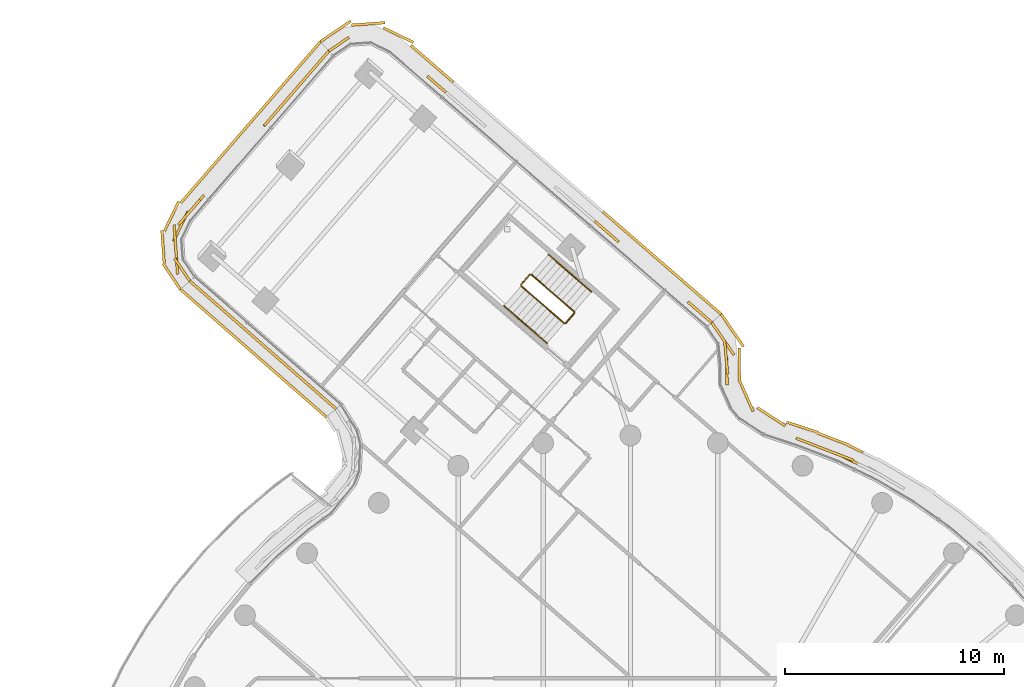
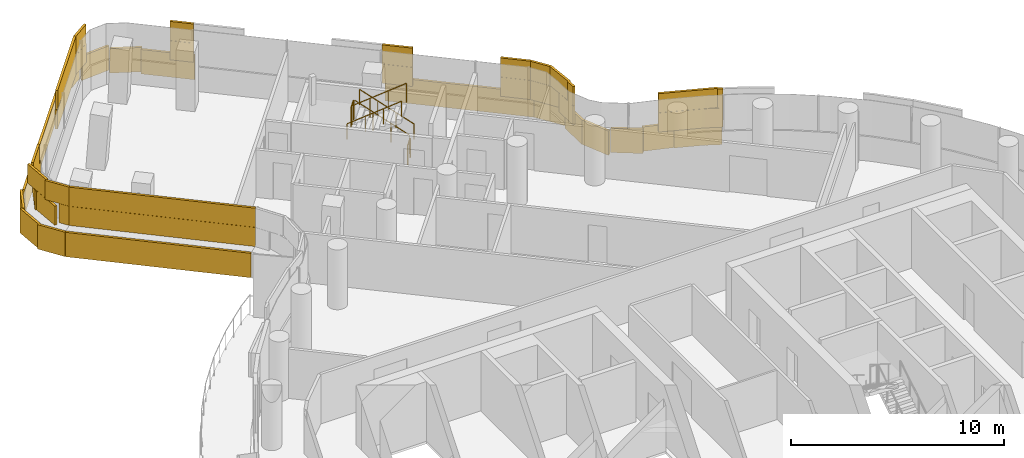
# One storey, part 30 of 32: 6 railings, 5 coverings.
"""IFC4 building model written with IfcOpenShell, lengths in metres."""

from ifc_helpers import new_model, si_unit, direction, frame, origin, origin_2d, place, context, subcontext, project, spatial, rectangle, circle, extrude, material, layer, layer_set, type_object, element, save


model = new_model("IFC4")

# Units and contexts
model_context = context("Model", 3, precision=1e-05, world=origin(), true_north=direction((0.0, 1.0)))
body_context = subcontext(model_context, "Body", "Model", "MODEL_VIEW")
ifc_project = project(units=[si_unit("LENGTHUNIT", "METRE"), si_unit("AREAUNIT", "SQUARE_METRE"), si_unit("VOLUMEUNIT", "CUBIC_METRE"), si_unit("PLANEANGLEUNIT", "RADIAN"), si_unit("MASSUNIT", "GRAM", prefix="KILO")], contexts=[model_context])

# Site, building, storey
site_placement = place(None, origin())
site = spatial("IfcSite", under=ifc_project, at=site_placement, CompositionType="ELEMENT")
building_placement = place(site_placement, origin())
building = spatial("IfcBuilding", under=site, at=building_placement, Name="Tamarind Cross Interchange Tower", CompositionType="ELEMENT")
storey_placement = place(building_placement, frame((0.0, 0.0, 211.300048828125)))
storey = spatial("IfcBuildingStorey", under=building, at=storey_placement, Name="L53", CompositionType="ELEMENT", Elevation=211.300048828125)

# Railings
ifc_material_1 = material(Name="Stair guard")
railing_type_1 = type_object("IfcRailingType", Name="Stair guard", PredefinedType="GUARDRAIL", material=ifc_material_1)
railing_1_placement = place(storey_placement, frame((-2.569091796875, 28.65673828125, 0.16357421875)))
element("IfcRailing", 1, at=railing_1_placement, inside=storey, type_object=railing_type_1, Name="L53 ST4 stair guard 1", PredefinedType="GUARDRAIL", context=body_context, shape_type="SweptSolid", body=[
    extrude(circle(Radius=0.02392578125, at=origin_2d()), frame((0.0, 0.0, 1.076171875), z_axis=(-0.639732644448, 0.554064099018, 0.532686697607), x_axis=(-0.654680257776, -0.755905920123, 0.0)), (0.0, 0.0, 1.0), 3.072021484375),
    extrude(circle(Radius=0.02099609375, at=origin_2d()), origin(), (0.0, 0.0, 1.0), 1.052001953125),
    extrude(circle(Radius=0.02099609375, at=origin_2d()), frame((-0.655029296875, 0.5673828125, 0.54541015625)), (0.0, 0.0, 1.0), 1.052001953125),
    extrude(circle(Radius=0.02099609375, at=origin_2d()), frame((-1.310302734375, 1.134765625, 1.091064453125)), (0.0, 0.0, 1.0), 1.052001953125),
    extrude(circle(Radius=0.02099609375, at=origin_2d()), frame((-1.96533203125, 1.7021484375, 1.636474609375)), (0.0, 0.0, 1.0), 1.052001953125),
])
railing_2_placement = place(storey_placement, frame((-4.60498046875, 30.353759765625, 1.800048828125)))
element("IfcRailing", 2, at=railing_2_placement, inside=storey, type_object=railing_type_1, Name="L53 ST4 stair guard 2", PredefinedType="GUARDRAIL", context=body_context, shape_type="SweptSolid", body=[
    extrude(circle(Radius=0.02392578125, at=origin_2d()), frame((0.0, 0.0, 1.076171875), z_axis=(-0.654636187165, -0.755944086857, 0.0), x_axis=(0.755944086857, -0.654636187165, 0.0)), (0.0, 0.0, 1.0), 0.60009765625),
    extrude(circle(Radius=0.02099609375, at=origin_2d()), origin(), (0.0, 0.0, 1.0), 1.052001953125),
    extrude(circle(Radius=0.02099609375, at=origin_2d()), frame((-0.392822265625, -0.45361328125, 0.0)), (0.0, 0.0, 1.0), 1.052001953125),
])
railing_3_placement = place(storey_placement, frame((-4.992919921875, 29.829833984375, 1.963623046875)))
element("IfcRailing", 3, at=railing_3_placement, inside=storey, type_object=railing_type_1, Name="L53 ST4 stair guard 3", PredefinedType="GUARDRAIL", context=body_context, shape_type="SweptSolid", body=[
    extrude(circle(Radius=0.02392578125, at=origin_2d()), frame((0.0, 0.0, 1.076171875), z_axis=(0.639806667534, -0.554059382194, 0.532602693555), x_axis=(0.654633790246, 0.755946162546, 0.0)), (0.0, 0.0, 1.0), 3.072021484375),
    extrude(circle(Radius=0.02099609375, at=origin_2d()), origin(), (0.0, 0.0, 1.0), 1.052001953125),
    extrude(circle(Radius=0.02099609375, at=origin_2d()), frame((0.6552734375, -0.5673828125, 0.54541015625)), (0.0, 0.0, 1.0), 1.052001953125),
    extrude(circle(Radius=0.02099609375, at=origin_2d()), frame((1.310302734375, -1.134765625, 1.0908203125)), (0.0, 0.0, 1.0), 1.052001953125),
    extrude(circle(Radius=0.02099609375, at=origin_2d()), frame((1.965576171875, -1.7021484375, 1.63623046875)), (0.0, 0.0, 1.0), 1.052001953125),
])
railing_4_placement = place(storey_placement, frame((-2.56396484375, 28.586181640625, 0.0)))
element("IfcRailing", 4, at=railing_4_placement, inside=storey, type_object=railing_type_1, Name="L53 ST4 stair guard 4", PredefinedType="GUARDRAIL", context=body_context, shape_type="SweptSolid", body=[
    extrude(circle(Radius=0.02392578125, at=origin_2d()), frame((0.0, 0.0, 1.076171875), z_axis=(-0.654636187165, -0.755944086857, 0.0), x_axis=(0.755944086857, -0.654636187165, 0.0)), (0.0, 0.0, 1.0), 0.60009765625),
    extrude(circle(Radius=0.02099609375, at=origin_2d()), origin(), (0.0, 0.0, 1.0), 1.052001953125),
    extrude(circle(Radius=0.02099609375, at=origin_2d()), frame((-0.392822265625, -0.45361328125, 0.0)), (0.0, 0.0, 1.0), 1.052001953125),
])
ifc_material_2 = material(Name="Stair handrail")
railing_type_2 = type_object("IfcRailingType", Name="Stair handrail", PredefinedType="HANDRAIL", material=ifc_material_2)
railing_5_placement = place(storey_placement, frame((-1.783447265625, 29.563720703125, 0.16357421875)))
element("IfcRailing", 5, at=railing_5_placement, inside=storey, type_object=railing_type_2, Name="L53 ST4 stair handrail 1", PredefinedType="HANDRAIL", context=body_context, shape_type="SweptSolid", body=[
    extrude(circle(Radius=0.02392578125, at=origin_2d()), frame((0.0, 0.0, 0.8759765625), z_axis=(-0.639779587083, 0.554035931083, 0.532659616473), x_axis=(-0.654633790246, -0.755946162546, 0.0)), (0.0, 0.0, 1.0), 3.072265625),
    extrude(circle(Radius=0.02099609375, at=origin_2d()), origin(), (0.0, 0.0, 1.0), 0.851806640625),
    extrude(circle(Radius=0.02099609375, at=origin_2d()), frame((-0.6552734375, 0.5673828125, 0.54541015625)), (0.0, 0.0, 1.0), 0.851806640625),
    extrude(circle(Radius=0.02099609375, at=origin_2d()), frame((-1.310302734375, 1.134765625, 1.091064453125)), (0.0, 0.0, 1.0), 0.851806640625),
    extrude(circle(Radius=0.02099609375, at=origin_2d()), frame((-1.965576171875, 1.7021484375, 1.636474609375)), (0.0, 0.0, 1.0), 0.851806640625),
])
railing_6_placement = place(storey_placement, frame((-5.7783203125, 28.922607421875, 1.963623046875)))
element("IfcRailing", 6, at=railing_6_placement, inside=storey, type_object=railing_type_2, Name="L53 ST4 stair handrail 2", PredefinedType="HANDRAIL", context=body_context, shape_type="SweptSolid", body=[
    extrude(circle(Radius=0.02392578125, at=origin_2d()), frame((0.0, 0.0, 0.8759765625), z_axis=(0.639759725665, -0.554087553706, 0.532629774088), x_axis=(0.654680257776, 0.755905920123, 0.0)), (0.0, 0.0, 1.0), 3.072021484375),
    extrude(circle(Radius=0.02099609375, at=origin_2d()), origin(), (0.0, 0.0, 1.0), 0.851806640625),
    extrude(circle(Radius=0.02099609375, at=origin_2d()), frame((0.655029296875, -0.5673828125, 0.54541015625)), (0.0, 0.0, 1.0), 0.851806640625),
    extrude(circle(Radius=0.02099609375, at=origin_2d()), frame((1.310302734375, -1.134765625, 1.0908203125)), (0.0, 0.0, 1.0), 0.851806640625),
    extrude(circle(Radius=0.02099609375, at=origin_2d()), frame((1.96533203125, -1.7021484375, 1.63623046875)), (0.0, 0.0, 1.0), 0.851806640625),
])

# Coverings
ifc_material_3 = material(Name="Terracotta", Category="masonry")
ifc_layer = layer(ifc_material_3, 0.1201171875)
ifc_layer_set = layer_set([ifc_layer], Name="Terracotta")
covering_type = type_object("IfcCoveringType", Name="Terracotta baguette screen unit", PredefinedType="MOLDING", material=ifc_layer_set)
covering_1_placement = place(storey_placement, origin())
element("IfcCovering", 7, at=covering_1_placement, inside=storey, type_object=covering_type, Name="SCR-L53-06-05", PredefinedType="MOLDING", context=body_context, shape_type="SweptSolid", body=[
    extrude(rectangle(XDim=0.990234375, YDim=0.1201171875, at=origin_2d()), frame((9.93212890625, 21.9287109375, 1.40380859375), z_axis=(0.0, 0.0, 1.0), x_axis=(-0.900272776334, 0.435326231914, 0.0)), (0.0, 0.0, 1.0), 1.092041015625),
    extrude(rectangle(XDim=1.52001953125, YDim=0.1201171875, at=origin_2d()), frame((8.78759765625, 22.404052734375, 1.40380859375), z_axis=(0.0, 0.0, 1.0), x_axis=(-0.933146843667, 0.359495435512, 0.0)), (0.0, 0.0, 1.0), 1.092041015625),
    extrude(rectangle(XDim=0.562744140625, YDim=0.1201171875, at=origin_2d()), frame((7.829833984375, 22.773193359375, 1.40380859375), z_axis=(0.0, 0.0, 1.0), x_axis=(-0.933146843667, 0.359495435512, 0.0)), (0.0, 0.0, 1.0), 1.092041015625),
    extrude(rectangle(XDim=1.25732421875, YDim=0.1201171875, at=origin_2d()), frame((4.405029296875, 25.941650390625, 1.40380859375), z_axis=(0.0, 0.0, 1.0), x_axis=(-0.014896067468, 0.999889047432, 0.0)), (0.0, 0.0, 1.0), 1.092041015625),
    extrude(rectangle(XDim=1.52001953125, YDim=0.1201171875, at=origin_2d()), frame((4.300048828125, 27.3095703125, 1.40380859375), z_axis=(0.0, 0.0, 1.0), x_axis=(-0.566316247011, 0.824188029743, 0.0)), (0.0, 0.0, 1.0), 1.092041015625),
    extrude(rectangle(XDim=0.2958984375, YDim=0.1201171875, at=origin_2d()), frame((3.79443359375, 28.04541015625, 1.40380859375), z_axis=(0.0, 0.0, 1.0), x_axis=(-0.566316247011, 0.824188029743, 0.0)), (0.0, 0.0, 1.0), 1.092041015625),
    extrude(rectangle(XDim=0.240234375, YDim=0.1201171875, at=origin_2d()), frame((10.269775390625, 21.765380859375, 2.50390625), z_axis=(0.0, 0.0, 1.0), x_axis=(-0.900272776334, 0.435326231914, 0.0)), (0.0, 0.0, 1.0), 1.092041015625),
    extrude(rectangle(XDim=1.52001953125, YDim=0.1201171875, at=origin_2d()), frame((9.487548828125, 22.134521484375, 2.50390625), z_axis=(0.0, 0.0, 1.0), x_axis=(-0.933146843667, 0.359495435512, 0.0)), (0.0, 0.0, 1.0), 1.092041015625),
    extrude(rectangle(XDim=1.312744140625, YDim=0.1201171875, at=origin_2d()), frame((8.179931640625, 22.63818359375, 2.50390625), z_axis=(0.0, 0.0, 1.0), x_axis=(-0.933146843667, 0.359495435512, 0.0)), (0.0, 0.0, 1.0), 1.092041015625),
    extrude(rectangle(XDim=0.50732421875, YDim=0.1201171875, at=origin_2d()), frame((4.410400390625, 25.56689453125, 2.50390625), z_axis=(0.0, 0.0, 1.0), x_axis=(-0.014896067468, 0.999889047432, 0.0)), (0.0, 0.0, 1.0), 1.092041015625),
    extrude(rectangle(XDim=1.52001953125, YDim=0.1201171875, at=origin_2d()), frame((4.373046875, 26.56396484375, 2.50390625), z_axis=(0.0, 0.0, 1.0), x_axis=(-0.091849763403, 0.995772876194, 0.0)), (0.0, 0.0, 1.0), 1.092041015625),
    extrude(rectangle(XDim=1.0458984375, YDim=0.1201171875, at=origin_2d()), frame((4.0068359375, 27.736328125, 2.50390625), z_axis=(0.0, 0.0, 1.0), x_axis=(-0.566316247011, 0.824188029743, 0.0)), (0.0, 0.0, 1.0), 1.092041015625),
    extrude(rectangle(XDim=0.755126953125, YDim=0.1201171875, at=origin_2d()), frame((10.281005859375, 22.3974609375, 0.00390625), z_axis=(0.0, 0.0, 1.0), x_axis=(-0.900272776334, 0.435326231914, 0.0)), (0.0, 0.0, 1.0), 1.39208984375),
    extrude(rectangle(XDim=1.52001953125, YDim=0.1201171875, at=origin_2d()), frame((9.25537109375, 22.839111328125, 0.00390625), z_axis=(0.0, 0.0, 1.0), x_axis=(-0.933146843667, 0.359495435512, 0.0)), (0.0, 0.0, 1.0), 1.39208984375),
    extrude(rectangle(XDim=1.52001953125, YDim=0.1201171875, at=origin_2d()), frame((7.8544921875, 23.375244140625, 0.00390625), z_axis=(0.0, 0.0, 1.0), x_axis=(-0.950582973544, 0.310470627288, 0.0)), (0.0, 0.0, 1.0), 1.39208984375),
    extrude(rectangle(XDim=1.52001953125, YDim=0.1201171875, at=origin_2d()), frame((6.4365234375, 23.857177734375, 0.00390625), z_axis=(0.0, 0.0, 1.0), x_axis=(-0.837418137235, 0.546562771719, 0.0)), (0.0, 0.0, 1.0), 1.39208984375),
    extrude(rectangle(XDim=1.52001953125, YDim=0.1201171875, at=origin_2d()), frame((5.300048828125, 24.79833984375, 0.00390625), z_axis=(0.0, 0.0, 1.0), x_axis=(-0.402959569513, 0.915217780278, 0.0)), (0.0, 0.0, 1.0), 1.39208984375),
    extrude(rectangle(XDim=1.52001953125, YDim=0.1201171875, at=origin_2d()), frame((4.974609375, 26.232177734375, 0.00390625), z_axis=(0.0, 0.0, 1.0), x_axis=(-0.014896067468, 0.999889047432, 0.0)), (0.0, 0.0, 1.0), 1.39208984375),
    extrude(rectangle(XDim=1.52001953125, YDim=0.1201171875, at=origin_2d()), frame((4.736572265625, 27.68798828125, 0.00390625), z_axis=(0.0, 0.0, 1.0), x_axis=(-0.566316247011, 0.824188029743, 0.0)), (0.0, 0.0, 1.0), 1.39208984375),
    extrude(rectangle(XDim=0.3046875, YDim=0.1201171875, at=origin_2d()), frame((4.231201171875, 28.42333984375, 0.00390625), z_axis=(0.0, 0.0, 1.0), x_axis=(-0.566316247011, 0.824188029743, 0.0)), (0.0, 0.0, 1.0), 1.39208984375),
])
covering_2_placement = place(storey_placement, origin())
element("IfcCovering", 8, at=covering_2_placement, inside=storey, type_object=covering_type, Name="SCR-L53-07-00", PredefinedType="MOLDING", context=body_context, shape_type="SweptSolid", body=[
    extrude(rectangle(XDim=0.760009765625, YDim=0.1201171875, at=origin_2d()), frame((3.43017578125, 28.40869140625, 1.40380859375), z_axis=(0.0, 0.0, 1.0), x_axis=(-0.755917458902, 0.654666934653, 0.0)), (0.0, 0.0, 1.0), 1.092041015625),
    extrude(rectangle(XDim=0.694580078125, YDim=0.1201171875, at=origin_2d()), frame((2.887939453125, 28.87841796875, 1.40380859375), z_axis=(0.0, 0.0, 1.0), x_axis=(-0.755917458902, 0.654666934653, 0.0)), (0.0, 0.0, 1.0), 1.092041015625),
    extrude(rectangle(XDim=1.125244140625, YDim=0.1201171875, at=origin_2d()), frame((-0.96728515625, 32.217041015625, 1.40380859375), z_axis=(0.0, 0.0, 1.0), x_axis=(-0.755917458902, 0.654666934653, 0.0)), (0.0, 0.0, 1.0), 1.092041015625),
    extrude(rectangle(XDim=0.329345703125, YDim=0.1201171875, at=origin_2d()), frame((-1.509521484375, 32.686767578125, 1.40380859375), z_axis=(0.0, 0.0, 1.0), x_axis=(-0.755917458902, 0.654666934653, 0.0)), (0.0, 0.0, 1.0), 1.092041015625),
    extrude(rectangle(XDim=1.4345703125, YDim=0.1201171875, at=origin_2d()), frame((3.17138671875, 28.6328125, 2.50390625), z_axis=(0.0, 0.0, 1.0), x_axis=(-0.755917458902, 0.654666934653, 0.0)), (0.0, 0.0, 1.0), 1.092041015625),
    extrude(rectangle(XDim=0.375244140625, YDim=0.1201171875, at=origin_2d()), frame((-0.683837890625, 31.9716796875, 2.50390625), z_axis=(0.0, 0.0, 1.0), x_axis=(-0.755917458902, 0.654666934653, 0.0)), (0.0, 0.0, 1.0), 1.092041015625),
    extrude(rectangle(XDim=1.079345703125, YDim=0.1201171875, at=origin_2d()), frame((-1.22607421875, 32.441162109375, 2.50390625), z_axis=(0.0, 0.0, 1.0), x_axis=(-0.755917458902, 0.654666934653, 0.0)), (0.0, 0.0, 1.0), 1.092041015625),
    extrude(rectangle(XDim=0.760009765625, YDim=0.1201171875, at=origin_2d()), frame((3.857666015625, 28.797607421875, 0.00390625), z_axis=(0.0, 0.0, 1.0), x_axis=(-0.755917458902, 0.654666934653, 0.0)), (0.0, 0.0, 1.0), 1.39208984375),
    extrude(rectangle(XDim=1.52001953125, YDim=0.1201171875, at=origin_2d()), frame((3.010986328125, 29.531005859375, 0.00390625), z_axis=(0.0, 0.0, 1.0), x_axis=(-0.755917458902, 0.654666934653, 0.0)), (0.0, 0.0, 1.0), 1.39208984375),
    extrude(rectangle(XDim=1.52001953125, YDim=0.1201171875, at=origin_2d()), frame((1.877197265625, 30.512939453125, 0.00390625), z_axis=(0.0, 0.0, 1.0), x_axis=(-0.755917458902, 0.654666934653, 0.0)), (0.0, 0.0, 1.0), 1.39208984375),
    extrude(rectangle(XDim=1.52001953125, YDim=0.1201171875, at=origin_2d()), frame((0.743408203125, 31.494873046875, 0.00390625), z_axis=(0.0, 0.0, 1.0), x_axis=(-0.755917458902, 0.654666934653, 0.0)), (0.0, 0.0, 1.0), 1.39208984375),
    extrude(rectangle(XDim=1.52001953125, YDim=0.1201171875, at=origin_2d()), frame((-0.390625, 32.476806640625, 0.00390625), z_axis=(0.0, 0.0, 1.0), x_axis=(-0.755917458902, 0.654666934653, 0.0)), (0.0, 0.0, 1.0), 1.39208984375),
    extrude(rectangle(XDim=0.384033203125, YDim=0.1201171875, at=origin_2d()), frame((-1.094970703125, 33.087158203125, 0.00390625), z_axis=(0.0, 0.0, 1.0), x_axis=(-0.755917458902, 0.654666934653, 0.0)), (0.0, 0.0, 1.0), 1.39208984375),
])
covering_3_placement = place(storey_placement, origin())
element("IfcCovering", 9, at=covering_3_placement, inside=storey, type_object=covering_type, Name="SCR-L53-07-02", PredefinedType="MOLDING", context=body_context, shape_type="SweptSolid", body=[
    extrude(rectangle(XDim=1.108154296875, YDim=0.1201171875, at=origin_2d()), frame((-8.860595703125, 39.05322265625, 1.40380859375), z_axis=(0.0, 0.0, 1.0), x_axis=(-0.755917458902, 0.654666934653, 0.0)), (0.0, 0.0, 1.0), 1.092041015625),
    extrude(rectangle(XDim=0.37158203125, YDim=0.1201171875, at=origin_2d()), frame((-13.016845703125, 41.08837890625, 1.40380859375), z_axis=(0.0, 0.0, 1.0), x_axis=(-0.828005534688, -0.560719925209, 0.0)), (0.0, 0.0, 1.0), 1.092041015625),
    extrude(rectangle(XDim=0.756591796875, YDim=0.1201171875, at=origin_2d()), frame((-13.4755859375, 40.77783203125, 1.40380859375), z_axis=(0.0, 0.0, 1.0), x_axis=(-0.828005534688, -0.560719925209, 0.0)), (0.0, 0.0, 1.0), 1.092041015625),
    extrude(rectangle(XDim=0.4296875, YDim=0.1201171875, at=origin_2d()), frame((-8.600341796875, 38.827880859375, 2.50390625), z_axis=(0.0, 0.0, 1.0), x_axis=(-0.755917458902, 0.654666934653, 0.0)), (0.0, 0.0, 1.0), 1.092041015625),
    extrude(rectangle(XDim=0.698486328125, YDim=0.1201171875, at=origin_2d()), frame((-9.019287109375, 39.1904296875, 2.50390625), z_axis=(0.0, 0.0, 1.0), x_axis=(-0.755917458902, 0.654666934653, 0.0)), (0.0, 0.0, 1.0), 1.092041015625),
    extrude(rectangle(XDim=1.108154296875, YDim=0.1201171875, at=origin_2d()), frame((-13.325927734375, 40.879150390625, 2.50390625), z_axis=(0.0, 0.0, 1.0), x_axis=(-0.828005534688, -0.560719925209, 0.0)), (0.0, 0.0, 1.0), 1.092041015625),
    extrude(rectangle(XDim=1.05517578125, YDim=0.1201171875, at=origin_2d()), frame((-8.50341796875, 39.5029296875, 0.00390625), z_axis=(0.0, 0.0, 1.0), x_axis=(-0.755917458902, 0.654666934653, 0.0)), (0.0, 0.0, 1.0), 1.39208984375),
    extrude(rectangle(XDim=1.52001953125, YDim=0.1201171875, at=origin_2d()), frame((-9.46142578125, 40.3330078125, 0.00390625), z_axis=(0.0, 0.0, 1.0), x_axis=(-0.755917458902, 0.654666934653, 0.0)), (0.0, 0.0, 1.0), 1.39208984375),
    extrude(rectangle(XDim=1.52001953125, YDim=0.1201171875, at=origin_2d()), frame((-10.60693359375, 41.29736328125, 0.00390625), z_axis=(0.0, 0.0, 1.0), x_axis=(-0.899600466983, 0.436713864909, 0.0)), (0.0, 0.0, 1.0), 1.39208984375),
    extrude(rectangle(XDim=1.52001953125, YDim=0.1201171875, at=origin_2d()), frame((-11.983642578125, 41.810302734375, 0.00390625), z_axis=(0.0, 0.0, 1.0), x_axis=(-0.997433790118, -0.071594932295, 0.0)), (0.0, 0.0, 1.0), 1.39208984375),
    extrude(rectangle(XDim=1.52001953125, YDim=0.1201171875, at=origin_2d()), frame((-13.4140625, 41.5126953125, 0.00390625), z_axis=(0.0, 0.0, 1.0), x_axis=(-0.828005534688, -0.560719925209, 0.0)), (0.0, 0.0, 1.0), 1.39208984375),
    extrude(rectangle(XDim=0.172119140625, YDim=0.1201171875, at=origin_2d()), frame((-14.097900390625, 41.049560546875, 0.00390625), z_axis=(0.0, 0.0, 1.0), x_axis=(-0.828005534688, -0.560719925209, 0.0)), (0.0, 0.0, 1.0), 1.39208984375),
])
covering_4_placement = place(storey_placement, origin())
element("IfcCovering", 10, at=covering_4_placement, inside=storey, type_object=covering_type, Name="SCR-L53-08-00", PredefinedType="MOLDING", context=body_context, shape_type="SweptSolid", body=[
    extrude(rectangle(XDim=0.760009765625, YDim=0.1201171875, at=origin_2d()), frame((-14.0302734375, 40.28515625, 1.40380859375), z_axis=(0.0, 0.0, 1.0), x_axis=(-0.654666934653, -0.755917458902, 0.0)), (0.0, 0.0, 1.0), 1.092041015625),
    extrude(rectangle(XDim=1.52001953125, YDim=0.1201171875, at=origin_2d()), frame((-14.766845703125, 39.4345703125, 1.40380859375), z_axis=(0.0, 0.0, 1.0), x_axis=(-0.654666934653, -0.755917458902, 0.0)), (0.0, 0.0, 1.0), 1.092041015625),
    extrude(rectangle(XDim=1.52001953125, YDim=0.1201171875, at=origin_2d()), frame((-15.748779296875, 38.30078125, 1.40380859375), z_axis=(0.0, 0.0, 1.0), x_axis=(-0.654666934653, -0.755917458902, 0.0)), (0.0, 0.0, 1.0), 1.092041015625),
    extrude(rectangle(XDim=0.78466796875, YDim=0.1201171875, at=origin_2d()), frame((-16.493408203125, 37.44091796875, 1.40380859375), z_axis=(0.0, 0.0, 1.0), x_axis=(-0.654666934653, -0.755917458902, 0.0)), (0.0, 0.0, 1.0), 1.092041015625),
    extrude(rectangle(XDim=1.03515625, YDim=0.1201171875, at=origin_2d()), frame((-19.832275390625, 33.5859375, 1.40380859375), z_axis=(0.0, 0.0, 1.0), x_axis=(-0.654666934653, -0.755917458902, 0.0)), (0.0, 0.0, 1.0), 1.092041015625),
    extrude(rectangle(XDim=1.52001953125, YDim=0.1201171875, at=origin_2d()), frame((-20.554931640625, 32.56298828125, 1.40380859375), z_axis=(0.0, 0.0, 1.0), x_axis=(-0.436713864909, -0.899600466983, 0.0)), (0.0, 0.0, 1.0), 1.092041015625),
    extrude(rectangle(XDim=1.52001953125, YDim=0.1201171875, at=origin_2d()), frame((-20.75, 31.125, 1.40380859375), z_axis=(0.0, 0.0, 1.0), x_axis=(0.071594932295, -0.997433790118, 0.0)), (0.0, 0.0, 1.0), 1.092041015625),
    extrude(rectangle(XDim=0.509521484375, YDim=0.1201171875, at=origin_2d()), frame((-20.276611328125, 30.26708984375, 1.40380859375), z_axis=(0.0, 0.0, 1.0), x_axis=(0.560719925209, -0.828005534688, 0.0)), (0.0, 0.0, 1.0), 1.092041015625),
    extrude(rectangle(XDim=1.510009765625, YDim=0.1201171875, at=origin_2d()), frame((-14.27587890625, 40.001708984375, 2.50390625), z_axis=(0.0, 0.0, 1.0), x_axis=(-0.654666934653, -0.755917458902, 0.0)), (0.0, 0.0, 1.0), 1.092041015625),
    extrude(rectangle(XDim=1.52001953125, YDim=0.1201171875, at=origin_2d()), frame((-15.2578125, 38.86767578125, 2.50390625), z_axis=(0.0, 0.0, 1.0), x_axis=(-0.654666934653, -0.755917458902, 0.0)), (0.0, 0.0, 1.0), 1.092041015625),
    extrude(rectangle(XDim=1.52001953125, YDim=0.1201171875, at=origin_2d()), frame((-16.23974609375, 37.73388671875, 2.50390625), z_axis=(0.0, 0.0, 1.0), x_axis=(-0.654666934653, -0.755917458902, 0.0)), (0.0, 0.0, 1.0), 1.092041015625),
    extrude(rectangle(XDim=1.52001953125, YDim=0.1201171875, at=origin_2d()), frame((-20.167724609375, 33.1982421875, 2.50390625), z_axis=(0.0, 0.0, 1.0), x_axis=(-0.654666934653, -0.755917458902, 0.0)), (0.0, 0.0, 1.0), 1.092041015625),
    extrude(rectangle(XDim=1.52001953125, YDim=0.1201171875, at=origin_2d()), frame((-20.8037109375, 31.873046875, 2.50390625), z_axis=(0.0, 0.0, 1.0), x_axis=(0.071594932295, -0.997433790118, 0.0)), (0.0, 0.0, 1.0), 1.092041015625),
    extrude(rectangle(XDim=1.259521484375, YDim=0.1201171875, at=origin_2d()), frame((-20.487060546875, 30.577392578125, 2.50390625), z_axis=(0.0, 0.0, 1.0), x_axis=(0.560719925209, -0.828005534688, 0.0)), (0.0, 0.0, 1.0), 1.092041015625),
    extrude(rectangle(XDim=0.760009765625, YDim=0.1201171875, at=origin_2d()), frame((-14.41796875, 40.714111328125, 0.00390625), z_axis=(0.0, 0.0, 1.0), x_axis=(-0.654666934653, -0.755917458902, 0.0)), (0.0, 0.0, 1.0), 1.39208984375),
    extrude(rectangle(XDim=1.52001953125, YDim=0.1201171875, at=origin_2d()), frame((-15.151123046875, 39.86767578125, 0.00390625), z_axis=(0.0, 0.0, 1.0), x_axis=(-0.654666934653, -0.755917458902, 0.0)), (0.0, 0.0, 1.0), 1.39208984375),
    extrude(rectangle(XDim=1.52001953125, YDim=0.1201171875, at=origin_2d()), frame((-16.13330078125, 38.733642578125, 0.00390625), z_axis=(0.0, 0.0, 1.0), x_axis=(-0.654666934653, -0.755917458902, 0.0)), (0.0, 0.0, 1.0), 1.39208984375),
    extrude(rectangle(XDim=1.52001953125, YDim=0.1201171875, at=origin_2d()), frame((-17.115234375, 37.599853515625, 0.00390625), z_axis=(0.0, 0.0, 1.0), x_axis=(-0.654666934653, -0.755917458902, 0.0)), (0.0, 0.0, 1.0), 1.39208984375),
    extrude(rectangle(XDim=1.52001953125, YDim=0.1201171875, at=origin_2d()), frame((-18.09716796875, 36.4658203125, 0.00390625), z_axis=(0.0, 0.0, 1.0), x_axis=(-0.654666934653, -0.755917458902, 0.0)), (0.0, 0.0, 1.0), 1.39208984375),
    extrude(rectangle(XDim=1.52001953125, YDim=0.1201171875, at=origin_2d()), frame((-19.0791015625, 35.33203125, 0.00390625), z_axis=(0.0, 0.0, 1.0), x_axis=(-0.654666934653, -0.755917458902, 0.0)), (0.0, 0.0, 1.0), 1.39208984375),
    extrude(rectangle(XDim=1.52001953125, YDim=0.1201171875, at=origin_2d()), frame((-20.061279296875, 34.1982421875, 0.00390625), z_axis=(0.0, 0.0, 1.0), x_axis=(-0.654666934653, -0.755917458902, 0.0)), (0.0, 0.0, 1.0), 1.39208984375),
    extrude(rectangle(XDim=1.52001953125, YDim=0.1201171875, at=origin_2d()), frame((-20.972412109375, 33.017578125, 0.00390625), z_axis=(0.0, 0.0, 1.0), x_axis=(-0.436713864909, -0.899600466983, 0.0)), (0.0, 0.0, 1.0), 1.39208984375),
    extrude(rectangle(XDim=1.52001953125, YDim=0.1201171875, at=origin_2d()), frame((-21.36083984375, 31.616943359375, 0.00390625), z_axis=(0.0, 0.0, 1.0), x_axis=(0.071594932295, -0.997433790118, 0.0)), (0.0, 0.0, 1.0), 1.39208984375),
    extrude(rectangle(XDim=1.425537109375, YDim=0.1201171875, at=origin_2d()), frame((-20.969970703125, 30.26708984375, 0.00390625), z_axis=(0.0, 0.0, 1.0), x_axis=(0.560719925209, -0.828005534688, 0.0)), (0.0, 0.0, 1.0), 1.39208984375),
])
covering_5_placement = place(storey_placement, origin())
element("IfcCovering", 11, at=covering_5_placement, inside=storey, type_object=covering_type, Name="SCR-L53-09-00", PredefinedType="MOLDING", context=body_context, shape_type="SweptSolid", body=[
    extrude(rectangle(XDim=0.760009765625, YDim=0.1201171875, at=origin_2d()), frame((-19.8544921875, 29.813232421875, 1.40380859375), z_axis=(0.0, 0.0, 1.0), x_axis=(0.752605377966, -0.658471825561, 0.0)), (0.0, 0.0, 1.0), 1.092041015625),
    extrude(rectangle(XDim=1.52001953125, YDim=0.1201171875, at=origin_2d()), frame((-19.0078125, 29.072509765625, 1.40380859375), z_axis=(0.0, 0.0, 1.0), x_axis=(0.752605377966, -0.658471825561, 0.0)), (0.0, 0.0, 1.0), 1.092041015625),
    extrude(rectangle(XDim=1.52001953125, YDim=0.1201171875, at=origin_2d()), frame((-17.87890625, 28.084716796875, 1.40380859375), z_axis=(0.0, 0.0, 1.0), x_axis=(0.752605377966, -0.658471825561, 0.0)), (0.0, 0.0, 1.0), 1.092041015625),
    extrude(rectangle(XDim=1.52001953125, YDim=0.1201171875, at=origin_2d()), frame((-16.75, 27.09716796875, 1.40380859375), z_axis=(0.0, 0.0, 1.0), x_axis=(0.752605377966, -0.658471825561, 0.0)), (0.0, 0.0, 1.0), 1.092041015625),
    extrude(rectangle(XDim=1.52001953125, YDim=0.1201171875, at=origin_2d()), frame((-15.62109375, 26.109375, 1.40380859375), z_axis=(0.0, 0.0, 1.0), x_axis=(0.752605377966, -0.658471825561, 0.0)), (0.0, 0.0, 1.0), 1.092041015625),
    extrude(rectangle(XDim=1.52001953125, YDim=0.1201171875, at=origin_2d()), frame((-14.4921875, 25.12158203125, 1.40380859375), z_axis=(0.0, 0.0, 1.0), x_axis=(0.752605377966, -0.658471825561, 0.0)), (0.0, 0.0, 1.0), 1.092041015625),
    extrude(rectangle(XDim=0.637451171875, YDim=0.1201171875, at=origin_2d()), frame((-13.69140625, 24.421142578125, 1.40380859375), z_axis=(0.0, 0.0, 1.0), x_axis=(0.752605377966, -0.658471825561, 0.0)), (0.0, 0.0, 1.0), 1.092041015625),
    extrude(rectangle(XDim=1.510009765625, YDim=0.1201171875, at=origin_2d()), frame((-19.572265625, 29.56640625, 2.50390625), z_axis=(0.0, 0.0, 1.0), x_axis=(0.752605377966, -0.658471825561, 0.0)), (0.0, 0.0, 1.0), 1.092041015625),
    extrude(rectangle(XDim=1.52001953125, YDim=0.1201171875, at=origin_2d()), frame((-18.443359375, 28.57861328125, 2.50390625), z_axis=(0.0, 0.0, 1.0), x_axis=(0.752605377966, -0.658471825561, 0.0)), (0.0, 0.0, 1.0), 1.092041015625),
    extrude(rectangle(XDim=1.52001953125, YDim=0.1201171875, at=origin_2d()), frame((-17.314453125, 27.591064453125, 2.50390625), z_axis=(0.0, 0.0, 1.0), x_axis=(0.752605377966, -0.658471825561, 0.0)), (0.0, 0.0, 1.0), 1.092041015625),
    extrude(rectangle(XDim=1.52001953125, YDim=0.1201171875, at=origin_2d()), frame((-16.185546875, 26.603271484375, 2.50390625), z_axis=(0.0, 0.0, 1.0), x_axis=(0.752605377966, -0.658471825561, 0.0)), (0.0, 0.0, 1.0), 1.092041015625),
    extrude(rectangle(XDim=1.52001953125, YDim=0.1201171875, at=origin_2d()), frame((-15.056640625, 25.615478515625, 2.50390625), z_axis=(0.0, 0.0, 1.0), x_axis=(0.752605377966, -0.658471825561, 0.0)), (0.0, 0.0, 1.0), 1.092041015625),
    extrude(rectangle(XDim=1.387451171875, YDim=0.1201171875, at=origin_2d()), frame((-13.9736328125, 24.668212890625, 2.50390625), z_axis=(0.0, 0.0, 1.0), x_axis=(0.752605377966, -0.658471825561, 0.0)), (0.0, 0.0, 1.0), 1.092041015625),
    extrude(rectangle(XDim=0.760009765625, YDim=0.1201171875, at=origin_2d()), frame((-20.284423828125, 29.4267578125, 0.00390625), z_axis=(0.0, 0.0, 1.0), x_axis=(0.752605377966, -0.658471825561, 0.0)), (0.0, 0.0, 1.0), 1.39208984375),
    extrude(rectangle(XDim=1.52001953125, YDim=0.1201171875, at=origin_2d()), frame((-19.44140625, 28.689208984375, 0.00390625), z_axis=(0.0, 0.0, 1.0), x_axis=(0.752605377966, -0.658471825561, 0.0)), (0.0, 0.0, 1.0), 1.39208984375),
    extrude(rectangle(XDim=1.52001953125, YDim=0.1201171875, at=origin_2d()), frame((-18.3125, 27.70166015625, 0.00390625), z_axis=(0.0, 0.0, 1.0), x_axis=(0.752605377966, -0.658471825561, 0.0)), (0.0, 0.0, 1.0), 1.39208984375),
    extrude(rectangle(XDim=1.52001953125, YDim=0.1201171875, at=origin_2d()), frame((-17.18359375, 26.7138671875, 0.00390625), z_axis=(0.0, 0.0, 1.0), x_axis=(0.752605377966, -0.658471825561, 0.0)), (0.0, 0.0, 1.0), 1.39208984375),
    extrude(rectangle(XDim=1.52001953125, YDim=0.1201171875, at=origin_2d()), frame((-16.0546875, 25.72607421875, 0.00390625), z_axis=(0.0, 0.0, 1.0), x_axis=(0.752605377966, -0.658471825561, 0.0)), (0.0, 0.0, 1.0), 1.39208984375),
    extrude(rectangle(XDim=1.52001953125, YDim=0.1201171875, at=origin_2d()), frame((-14.92578125, 24.738525390625, 0.00390625), z_axis=(0.0, 0.0, 1.0), x_axis=(0.752605377966, -0.658471825561, 0.0)), (0.0, 0.0, 1.0), 1.39208984375),
    extrude(rectangle(XDim=0.6259765625, YDim=0.1201171875, at=origin_2d()), frame((-14.13330078125, 24.045166015625, 0.00390625), z_axis=(0.0, 0.0, 1.0), x_axis=(0.752605377966, -0.658471825561, 0.0)), (0.0, 0.0, 1.0), 1.39208984375),
])

save(model, "model.ifc")
